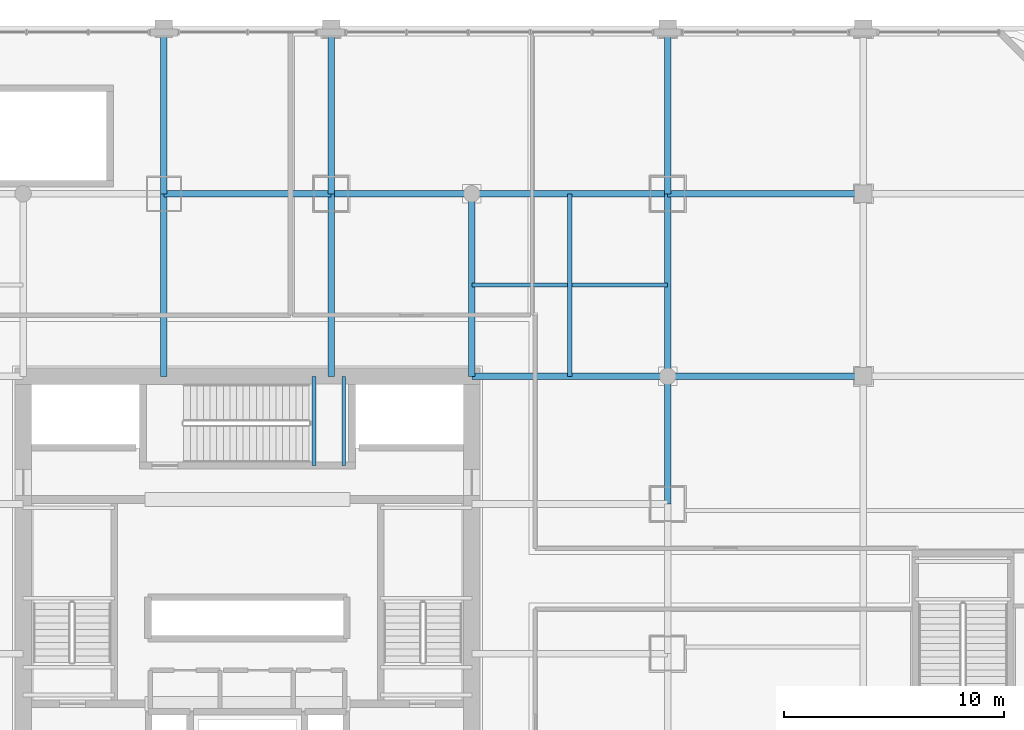
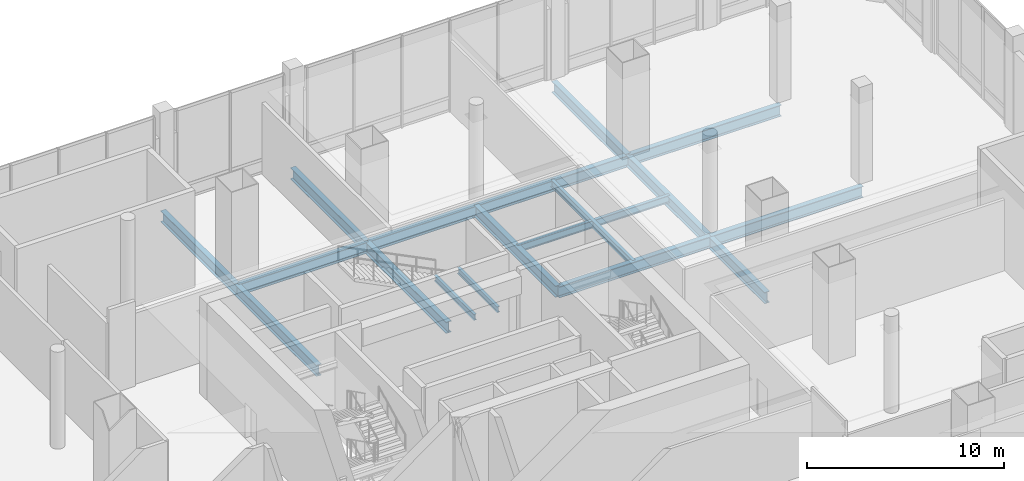
# One storey, part 15 of 38: 16 beams.
"""IFC4 building model written with IfcOpenShell, lengths in metres."""

from ifc_helpers import new_model, si_unit, direction, frame, origin, origin_2d, place, context, subcontext, project, spatial, i_section, extrude, material, material_profile, profile_set, type_object, element, save


model = new_model("IFC4")

# Units and contexts
model_context = context("Model", 3, precision=1e-05, world=origin(), true_north=direction((0.0, 1.0)))
body_context = subcontext(model_context, "Body", "Model", "MODEL_VIEW")
ifc_project = project(units=[si_unit("LENGTHUNIT", "METRE"), si_unit("AREAUNIT", "SQUARE_METRE"), si_unit("VOLUMEUNIT", "CUBIC_METRE"), si_unit("PLANEANGLEUNIT", "RADIAN"), si_unit("MASSUNIT", "GRAM", prefix="KILO")], contexts=[model_context])

# Site, building, storey
site_placement = place(None, origin())
site = spatial("IfcSite", under=ifc_project, at=site_placement, CompositionType="ELEMENT")
building_placement = place(site_placement, origin())
building = spatial("IfcBuilding", under=site, at=building_placement, Name="Punatoya Terracotta Tower", CompositionType="ELEMENT")
storey_placement = place(building_placement, frame((0.0, 0.0, 22.199951171875)))
storey = spatial("IfcBuildingStorey", under=building, at=storey_placement, Name="L04", CompositionType="ELEMENT", Elevation=22.199951171875)

# Beams
ifc_material = material(Name="Steel S355", Category="steel")
ifc_material_profile_1 = material_profile(ifc_material, i_section(OverallWidth=0.300048828125, OverallDepth=0.699951171875, WebThickness=0.01708984375, FlangeThickness=0.031982421875, FilletRadius=0.01806640625, at=origin_2d()))
ifc_profile_set_1 = profile_set([ifc_material_profile_1], Name="Steel S355")
beam_type_1 = type_object("IfcBeamType", Name="BM-PRI-700", PredefinedType="BEAM", material=ifc_profile_set_1)
beam_1_placement = place(storey_placement, frame((-3.800048828125, 17.5, -0.72998046875), z_axis=(1.0, 0.0, 0.0), x_axis=(0.0, 1.0, 0.0)))
element("IfcBeam", 1, at=beam_1_placement, inside=storey, type_object=beam_type_1, Name="BM-L04-RG-N2", PredefinedType="BEAM", context=body_context, shape_type="SweptSolid", body=[
    extrude(i_section(OverallWidth=0.300048828125, OverallDepth=0.699951171875, WebThickness=0.01708984375, FlangeThickness=0.031982421875, FilletRadius=0.01806640625, at=origin_2d()), origin(), (0.0, 0.0, 1.0), 7.60009765625),
])
beam_2_placement = place(storey_placement, frame((3.800048828125, 17.5, -0.72998046875), z_axis=(1.0, 0.0, 0.0), x_axis=(0.0, 1.0, 0.0)))
element("IfcBeam", 2, at=beam_2_placement, inside=storey, type_object=beam_type_1, Name="BM-L04-RG-N3", PredefinedType="BEAM", context=body_context, shape_type="SweptSolid", body=[
    extrude(i_section(OverallWidth=0.300048828125, OverallDepth=0.699951171875, WebThickness=0.01708984375, FlangeThickness=0.031982421875, FilletRadius=0.01806640625, at=origin_2d()), origin(), (0.0, 0.0, 1.0), 15.300048828125),
])
beam_3_placement = place(storey_placement, frame((19.10009765625, 3.39990234375, -0.72998046875), z_axis=(0.0, 1.0, 0.0), x_axis=(-1.0, 0.0, 0.0)))
element("IfcBeam", 3, at=beam_3_placement, inside=storey, type_object=beam_type_1, Name="BM-L04-RG-E3", PredefinedType="BEAM", context=body_context, shape_type="SweptSolid", body=[
    extrude(i_section(OverallWidth=0.300048828125, OverallDepth=0.699951171875, WebThickness=0.01708984375, FlangeThickness=0.031982421875, FilletRadius=0.01806640625, at=origin_2d()), origin(), (0.0, 0.0, 1.0), 14.10009765625),
])
beam_4_placement = place(storey_placement, frame((10.199951171875, 9.199951171875, -0.72998046875), z_axis=(1.0, 0.0, 0.0), x_axis=(0.0, 1.0, 0.0)))
element("IfcBeam", 4, at=beam_4_placement, inside=storey, type_object=beam_type_1, Name="BM-L04-PR-EN", PredefinedType="BEAM", context=body_context, shape_type="SweptSolid", body=[
    extrude(i_section(OverallWidth=0.300048828125, OverallDepth=0.699951171875, WebThickness=0.01708984375, FlangeThickness=0.031982421875, FilletRadius=0.01806640625, at=origin_2d()), origin(), (0.0, 0.0, 1.0), 8.900146484375),
])
for number, where, z_axis, x_axis, name in (
    (5, (-3.800048828125, 9.199951171875, -0.72998046875), (0.0, 1.0, 0.0), (-1.0, 0.0, 0.0), "BM-L04-PR-N2"),
    (6, (3.800048828125, 9.199951171875, -0.72998046875), (0.0, 1.0, 0.0), (-1.0, 0.0, 0.0), "BM-L04-PR-N3"),
    (7, (10.199951171875, 9.199951171875, -0.72998046875), (0.0, 1.0, 0.0), (-1.0, 0.0, 0.0), "BM-L04-PR-N4"),
):
    element("IfcBeam", number, at=place(storey_placement, frame(where, z_axis=z_axis, x_axis=x_axis)), inside=storey, type_object=beam_type_1, Name=name, PredefinedType="BEAM", context=body_context, shape_type="SweptSolid", body=[
        extrude(i_section(OverallWidth=0.300048828125, OverallDepth=0.699951171875, WebThickness=0.01708984375, FlangeThickness=0.031982421875, FilletRadius=0.01806640625, at=origin_2d()), origin(), (0.0, 0.0, 1.0), 8.300048828125),
    ])
for number, where, z_axis, x_axis, name in (
    (8, (19.10009765625, 9.199951171875, -0.72998046875), (1.0, 0.0, 0.0), (0.0, 1.0, 0.0), "BM-L04-FE1"),
    (9, (19.10009765625, 17.5, -0.72998046875), (1.0, 0.0, 0.0), (0.0, 1.0, 0.0), "BM-L04-GE1"),
):
    element("IfcBeam", number, at=place(storey_placement, frame(where, z_axis=z_axis, x_axis=x_axis)), inside=storey, type_object=beam_type_1, Name=name, PredefinedType="BEAM", context=body_context, shape_type="SweptSolid", body=[
        extrude(i_section(OverallWidth=0.300048828125, OverallDepth=0.699951171875, WebThickness=0.01708984375, FlangeThickness=0.031982421875, FilletRadius=0.01806640625, at=origin_2d()), origin(), (0.0, 0.0, 1.0), 8.89990234375),
    ])
for number, where, z_axis, x_axis, name in (
    (10, (19.10009765625, 17.5, -0.72998046875), (0.0, 1.0, 0.0), (-1.0, 0.0, 0.0), "BM-L04-M19E-17"),
    (11, (-3.800048828125, 17.5, -0.72998046875), (0.0, 1.0, 0.0), (-1.0, 0.0, 0.0), "BM-L04-NS-3-N"),
    (12, (3.800048828125, 17.5, -0.72998046875), (0.0, 1.0, 0.0), (-1.0, 0.0, 0.0), "BM-L04-NS3-N"),
):
    element("IfcBeam", number, at=place(storey_placement, frame(where, z_axis=z_axis, x_axis=x_axis)), inside=storey, type_object=beam_type_1, Name=name, PredefinedType="BEAM", context=body_context, shape_type="SweptSolid", body=[
        extrude(i_section(OverallWidth=0.300048828125, OverallDepth=0.699951171875, WebThickness=0.01708984375, FlangeThickness=0.031982421875, FilletRadius=0.01806640625, at=origin_2d()), origin(), (0.0, 0.0, 1.0), 7.5),
    ])
ifc_material_profile_2 = material_profile(ifc_material, i_section(OverallWidth=0.169921875, OverallDepth=0.360107421875, WebThickness=0.008056640625, FlangeThickness=0.0126953125, FilletRadius=0.01806640625, at=origin_2d()))
ifc_profile_set_2 = profile_set([ifc_material_profile_2], Name="Steel S355")
beam_type_2 = type_object("IfcBeamType", Name="BM-SEC-360", PredefinedType="JOIST", material=ifc_profile_set_2)
for number, where, z_axis, x_axis, name in (
    (13, (3.02001953125, 5.14990234375, 2.6201171875), (0.0, 1.0, 0.0), (-1.0, 0.0, 0.0), "BM-L04-ST-3-LD1A"),
    (14, (4.3798828125, 5.14990234375, 2.6201171875), (0.0, 1.0, 0.0), (-1.0, 0.0, 0.0), "BM-L04-ST-3-LD1B"),
):
    element("IfcBeam", number, at=place(storey_placement, frame(where, z_axis=z_axis, x_axis=x_axis)), inside=storey, type_object=beam_type_2, Name=name, PredefinedType="JOIST", context=body_context, shape_type="SweptSolid", body=[
        extrude(i_section(OverallWidth=0.169921875, OverallDepth=0.360107421875, WebThickness=0.008056640625, FlangeThickness=0.0126953125, FilletRadius=0.01806640625, at=origin_2d()), origin(), (0.0, 0.0, 1.0), 4.050048828125),
    ])
ifc_material_profile_3 = material_profile(ifc_material, i_section(OverallWidth=0.18994140625, OverallDepth=0.449951171875, WebThickness=0.009521484375, FlangeThickness=0.0146484375, FilletRadius=0.01806640625, at=origin_2d()))
ifc_profile_set_3 = profile_set([ifc_material_profile_3], Name="Steel S355")
beam_type_3 = type_object("IfcBeamType", Name="BM-SEC-450", PredefinedType="JOIST", material=ifc_profile_set_3)
beam_5_placement = place(storey_placement, frame((10.199951171875, 13.35009765625, -0.60498046875), z_axis=(1.0, 0.0, 0.0), x_axis=(0.0, 1.0, 0.0)))
element("IfcBeam", 15, at=beam_5_placement, inside=storey, type_object=beam_type_3, Name="BM-L04-SJN-2", PredefinedType="JOIST", context=body_context, shape_type="SweptSolid", body=[
    extrude(i_section(OverallWidth=0.18994140625, OverallDepth=0.449951171875, WebThickness=0.009521484375, FlangeThickness=0.0146484375, FilletRadius=0.01806640625, at=origin_2d()), origin(), (0.0, 0.0, 1.0), 8.900146484375),
])
beam_6_placement = place(storey_placement, frame((14.64990234375, 9.199951171875, -0.60498046875), z_axis=(0.0, 1.0, 0.0), x_axis=(-1.0, 0.0, 0.0)))
element("IfcBeam", 16, at=beam_6_placement, inside=storey, type_object=beam_type_3, Name="BM-L04-SJE-2", PredefinedType="JOIST", context=body_context, shape_type="SweptSolid", body=[
    extrude(i_section(OverallWidth=0.18994140625, OverallDepth=0.449951171875, WebThickness=0.009521484375, FlangeThickness=0.0146484375, FilletRadius=0.01806640625, at=origin_2d()), origin(), (0.0, 0.0, 1.0), 8.300048828125),
])

save(model, "model.ifc")
